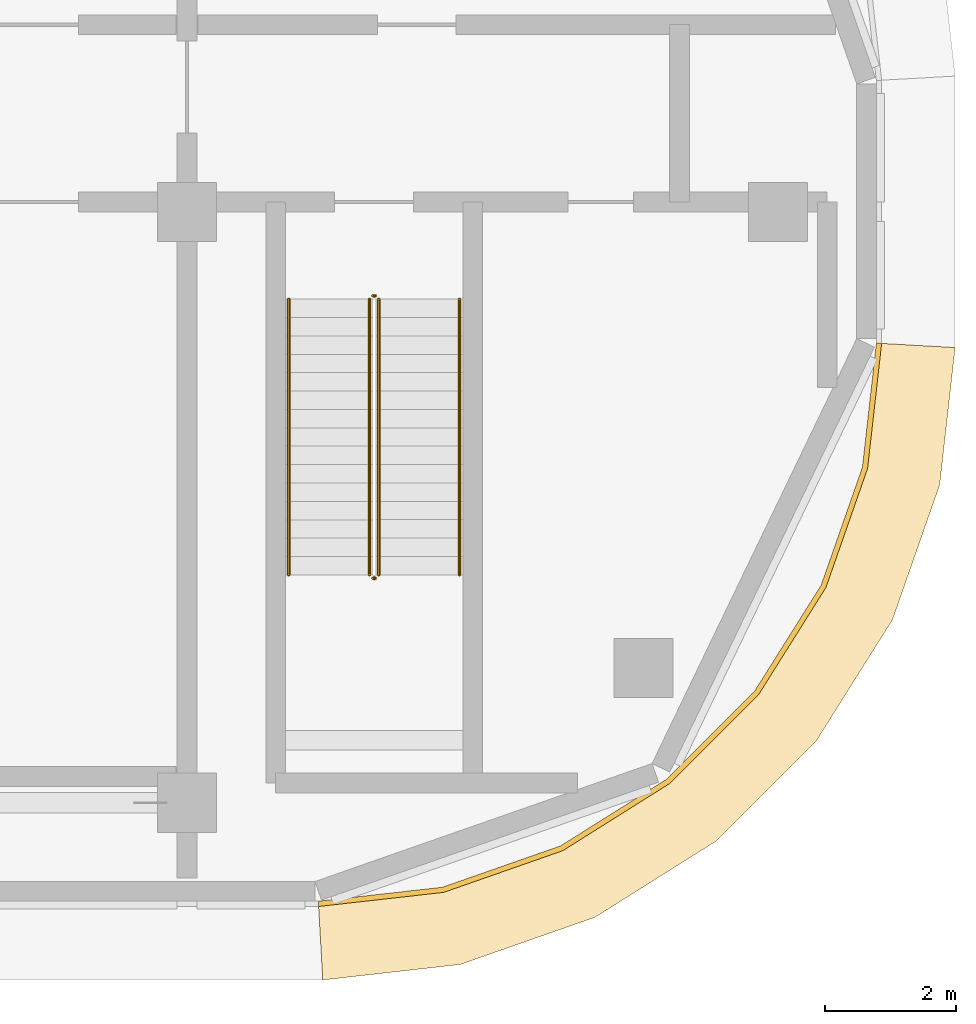
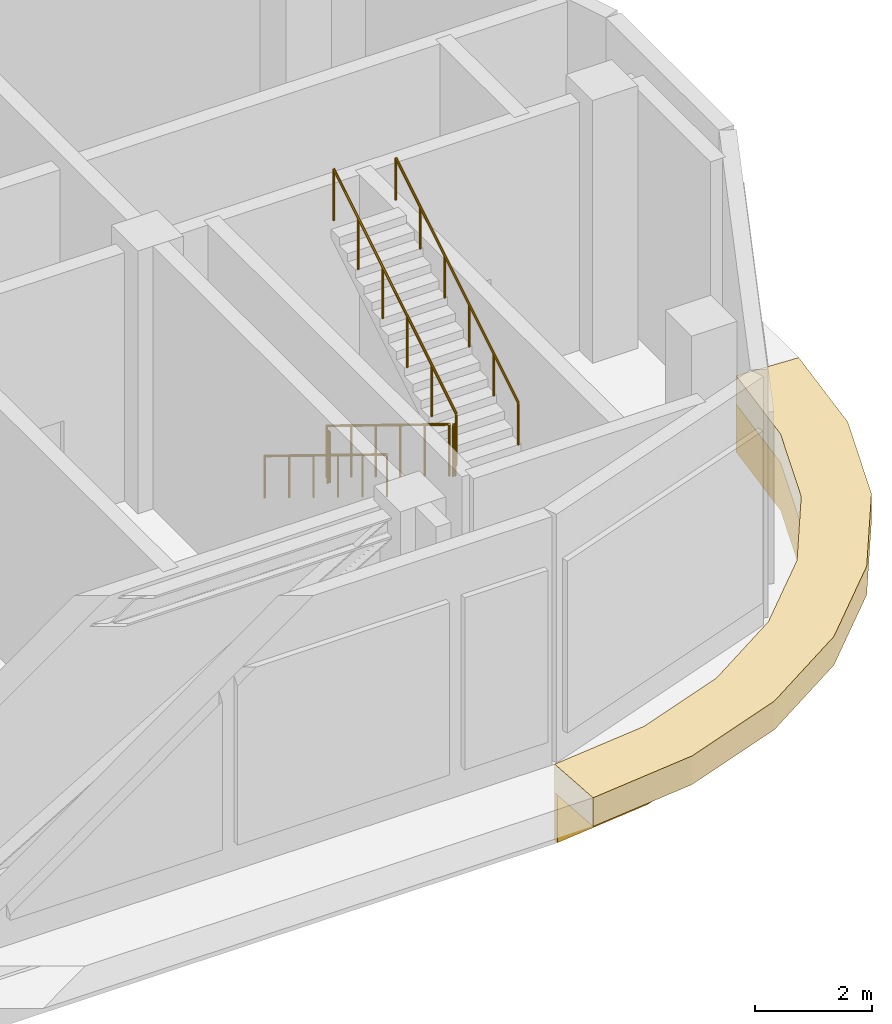
# One storey, part 13 of 14: 6 railings, 2 coverings.
"""IFC4 building model written with IfcOpenShell, lengths in metres."""

from ifc_helpers import new_model, si_unit, direction, frame, origin, origin_2d, place, context, subcontext, project, spatial, polyline, circle, outline, extrude, material, layer, layer_set, type_object, element, save


model = new_model("IFC4")

# Units and contexts
model_context = context("Model", 3, precision=1e-05, world=origin(), true_north=direction((0.0, 1.0)))
body_context = subcontext(model_context, "Body", "Model", "MODEL_VIEW")
ifc_project = project(units=[si_unit("LENGTHUNIT", "METRE"), si_unit("AREAUNIT", "SQUARE_METRE"), si_unit("VOLUMEUNIT", "CUBIC_METRE"), si_unit("PLANEANGLEUNIT", "RADIAN"), si_unit("MASSUNIT", "GRAM", prefix="KILO")], contexts=[model_context])

# Site, building, storey
site_placement = place(None, origin())
site = spatial("IfcSite", under=ifc_project, at=site_placement, CompositionType="ELEMENT")
building_placement = place(site_placement, origin())
building = spatial("IfcBuilding", under=site, at=building_placement, Name="Ogive Portal Towers", CompositionType="ELEMENT")
storey_placement = place(building_placement, frame((0.0, 0.0, 243.89990234375)))
storey = spatial("IfcBuildingStorey", under=building, at=storey_placement, Name="L61", CompositionType="ELEMENT", Elevation=243.89990234375)

# Railings
ifc_material_1 = material(Name="Stainless steel balustrade", Category="steel")
railing_type_1 = type_object("IfcRailingType", Name="INT-GUARD", PredefinedType="GUARDRAIL", material=ifc_material_1)
railing_1_placement = place(storey_placement, frame((88.280029296875, 29.169921875, 0.171875)))
element("IfcRailing", 1, at=railing_1_placement, inside=storey, type_object=railing_type_1, Name="L61 ST-A4 stair guard 1", PredefinedType="GUARDRAIL", context=body_context, shape_type="SweptSolid", body=[
    extrude(circle(Radius=0.02392578125, at=origin_2d()), frame((0.0, 0.0, 1.076171875), z_axis=(0.0, -0.852242915053, 0.523146264196), x_axis=(1.0, 0.0, 0.0)), (0.0, 0.0, 1.0), 4.92822265625),
    extrude(circle(Radius=0.02099609375, at=origin_2d()), origin(), (0.0, 0.0, 1.0), 1.052001953125),
    extrude(circle(Radius=0.02099609375, at=origin_2d()), frame((0.0, -0.840087890625, 0.515625)), (0.0, 0.0, 1.0), 1.052001953125),
    extrude(circle(Radius=0.02099609375, at=origin_2d()), frame((0.0, -1.679931640625, 1.03125)), (0.0, 0.0, 1.0), 1.052001953125),
    extrude(circle(Radius=0.02099609375, at=origin_2d()), frame((0.0, -2.52001953125, 1.546875)), (0.0, 0.0, 1.0), 1.052001953125),
    extrude(circle(Radius=0.02099609375, at=origin_2d()), frame((0.0, -3.35986328125, 2.0625)), (0.0, 0.0, 1.0), 1.052001953125),
    extrude(circle(Radius=0.02099609375, at=origin_2d()), frame((0.0, -4.199951171875, 2.578125)), (0.0, 0.0, 1.0), 1.052001953125),
])
railing_2_placement = place(storey_placement, frame((88.330078125, 24.919921875, 2.75)))
element("IfcRailing", 2, at=railing_2_placement, inside=storey, type_object=railing_type_1, Name="L61 ST-A4 stair guard 2", PredefinedType="GUARDRAIL", context=body_context, shape_type="SweptSolid", body=[
    extrude(circle(Radius=0.02392578125, at=origin_2d()), frame((0.0, 0.0, 1.076171875), z_axis=(1.0, 0.0, 0.0), x_axis=(0.0, 1.0, 0.0)), (0.0, 0.0, 1.0), 0.0400390625),
    extrude(circle(Radius=0.02099609375, at=origin_2d()), origin(), (0.0, 0.0, 1.0), 1.052001953125),
    extrude(circle(Radius=0.02099609375, at=origin_2d()), frame((0.0400390625, 0.0, 0.0)), (0.0, 0.0, 1.0), 1.052001953125),
])
railing_3_placement = place(storey_placement, frame((88.419921875, 24.969970703125, 2.921875)))
element("IfcRailing", 3, at=railing_3_placement, inside=storey, type_object=railing_type_1, Name="L61 ST-A4 stair guard 3", PredefinedType="GUARDRAIL", context=body_context, shape_type="SweptSolid", body=[
    extrude(circle(Radius=0.02392578125, at=origin_2d()), frame((0.0, 0.0, 1.076171875), z_axis=(0.0, 0.852242915053, 0.523146264196), x_axis=(-1.0, 0.0, 0.0)), (0.0, 0.0, 1.0), 4.92822265625),
    extrude(circle(Radius=0.02099609375, at=origin_2d()), origin(), (0.0, 0.0, 1.0), 1.052001953125),
    extrude(circle(Radius=0.02099609375, at=origin_2d()), frame((0.0, 0.840087890625, 0.515625)), (0.0, 0.0, 1.0), 1.052001953125),
    extrude(circle(Radius=0.02099609375, at=origin_2d()), frame((0.0, 1.679931640625, 1.03125)), (0.0, 0.0, 1.0), 1.052001953125),
    extrude(circle(Radius=0.02099609375, at=origin_2d()), frame((0.0, 2.52001953125, 1.546875)), (0.0, 0.0, 1.0), 1.052001953125),
    extrude(circle(Radius=0.02099609375, at=origin_2d()), frame((0.0, 3.35986328125, 2.0625)), (0.0, 0.0, 1.0), 1.052001953125),
    extrude(circle(Radius=0.02099609375, at=origin_2d()), frame((0.0, 4.199951171875, 2.578125)), (0.0, 0.0, 1.0), 1.052001953125),
])
railing_4_placement = place(storey_placement, frame((88.330078125, 29.219970703125, 0.0)))
element("IfcRailing", 4, at=railing_4_placement, inside=storey, type_object=railing_type_1, Name="L61 ST-A4 stair guard 4", PredefinedType="GUARDRAIL", context=body_context, shape_type="SweptSolid", body=[
    extrude(circle(Radius=0.02392578125, at=origin_2d()), frame((0.0, 0.0, 1.076171875), z_axis=(1.0, 0.0, 0.0), x_axis=(0.0, 1.0, 0.0)), (0.0, 0.0, 1.0), 0.0400390625),
    extrude(circle(Radius=0.02099609375, at=origin_2d()), origin(), (0.0, 0.0, 1.0), 1.052001953125),
    extrude(circle(Radius=0.02099609375, at=origin_2d()), frame((0.0400390625, 0.0, 0.0)), (0.0, 0.0, 1.0), 1.052001953125),
])
ifc_material_2 = material(Name="Stainless steel handrail", Category="steel")
railing_type_2 = type_object("IfcRailingType", Name="INT-HANDRAIL", PredefinedType="HANDRAIL", material=ifc_material_2)
railing_5_placement = place(storey_placement, frame((87.050048828125, 29.169921875, 0.171875)))
element("IfcRailing", 5, at=railing_5_placement, inside=storey, type_object=railing_type_2, Name="L61 ST-A4 stair handrail 1", PredefinedType="HANDRAIL", context=body_context, shape_type="SweptSolid", body=[
    extrude(circle(Radius=0.02392578125, at=origin_2d()), frame((0.0, 0.0, 0.8759765625), z_axis=(0.0, -0.852242915053, 0.523146264196), x_axis=(1.0, 0.0, 0.0)), (0.0, 0.0, 1.0), 4.92822265625),
    extrude(circle(Radius=0.02099609375, at=origin_2d()), origin(), (0.0, 0.0, 1.0), 0.851806640625),
    extrude(circle(Radius=0.02099609375, at=origin_2d()), frame((0.0, -0.840087890625, 0.515625)), (0.0, 0.0, 1.0), 0.851806640625),
    extrude(circle(Radius=0.02099609375, at=origin_2d()), frame((0.0, -1.679931640625, 1.03125)), (0.0, 0.0, 1.0), 0.851806640625),
    extrude(circle(Radius=0.02099609375, at=origin_2d()), frame((0.0, -2.52001953125, 1.546875)), (0.0, 0.0, 1.0), 0.851806640625),
    extrude(circle(Radius=0.02099609375, at=origin_2d()), frame((0.0, -3.35986328125, 2.0625)), (0.0, 0.0, 1.0), 0.851806640625),
    extrude(circle(Radius=0.02099609375, at=origin_2d()), frame((0.0, -4.199951171875, 2.578125)), (0.0, 0.0, 1.0), 0.851806640625),
])
railing_6_placement = place(storey_placement, frame((89.64990234375, 24.969970703125, 2.921875)))
element("IfcRailing", 6, at=railing_6_placement, inside=storey, type_object=railing_type_2, Name="L61 ST-A4 stair handrail 2", PredefinedType="HANDRAIL", context=body_context, shape_type="SweptSolid", body=[
    extrude(circle(Radius=0.02392578125, at=origin_2d()), frame((0.0, 0.0, 0.8759765625), z_axis=(0.0, 0.852242915053, 0.523146264196), x_axis=(-1.0, 0.0, 0.0)), (0.0, 0.0, 1.0), 4.92822265625),
    extrude(circle(Radius=0.02099609375, at=origin_2d()), origin(), (0.0, 0.0, 1.0), 0.851806640625),
    extrude(circle(Radius=0.02099609375, at=origin_2d()), frame((0.0, 0.840087890625, 0.515625)), (0.0, 0.0, 1.0), 0.851806640625),
    extrude(circle(Radius=0.02099609375, at=origin_2d()), frame((0.0, 1.679931640625, 1.03125)), (0.0, 0.0, 1.0), 0.851806640625),
    extrude(circle(Radius=0.02099609375, at=origin_2d()), frame((0.0, 2.52001953125, 1.546875)), (0.0, 0.0, 1.0), 0.851806640625),
    extrude(circle(Radius=0.02099609375, at=origin_2d()), frame((0.0, 3.35986328125, 2.0625)), (0.0, 0.0, 1.0), 0.851806640625),
    extrude(circle(Radius=0.02099609375, at=origin_2d()), frame((0.0, 4.199951171875, 2.578125)), (0.0, 0.0, 1.0), 0.851806640625),
])

# Coverings
ifc_material_3 = material(Name="Limestone cladding on lightweight block wall", Category="masonry")
ifc_layer_1 = layer(ifc_material_3, 0.080078125)
ifc_layer_set_1 = layer_set([ifc_layer_1], Name="STONE SPANDREL 80")
covering_type_1 = type_object("IfcCoveringType", Name="STONE SPANDREL 80", PredefinedType="CLADDING", material=ifc_layer_set_1)
covering_1_placement = place(storey_placement, frame((0.0, 0.0, -1.599853515625)))
element("IfcCovering", 7, at=covering_1_placement, inside=storey, type_object=covering_type_1, Name="Stone spandrel A1-F06", PredefinedType="CLADDING", context=body_context, shape_type="SweptSolid", body=[
    extrude(outline(polyline([(87.5, 20.0), (89.391357421875, 20.213134765625), (91.18798828125, 20.841796875), (92.799560546875, 21.8544921875), (94.1455078125, 23.200439453125), (95.158203125, 24.81201171875), (95.786865234375, 26.608642578125), (96.0, 28.5), (96.080078125, 28.49560546875), (95.865478515625, 26.590576171875), (95.230712890625, 24.777099609375), (94.20849609375, 23.150146484375), (92.849853515625, 21.79150390625), (91.222900390625, 20.769287109375), (89.409423828125, 20.134521484375), (87.50439453125, 19.919921875), (87.5, 20.0)])), origin(), (0.0, 0.0, 1.0), 1.0),
])
ifc_layer_2 = layer(ifc_material_3, 0.60009765625)
ifc_layer_set_2 = layer_set([ifc_layer_2], Name="SUNSHADE LIP 600")
covering_type_2 = type_object("IfcCoveringType", Name="SUNSHADE LIP 600", PredefinedType="CLADDING", material=ifc_layer_set_2)
covering_2_placement = place(storey_placement, frame((0.0, 0.0, -0.599853515625)))
element("IfcCovering", 8, at=covering_2_placement, inside=storey, type_object=covering_type_2, Name="Sunshade lip A1-F06", PredefinedType="CLADDING", context=body_context, shape_type="SweptSolid", body=[
    extrude(outline(polyline([(87.5, 20.0), (89.391357421875, 20.213134765625), (91.18798828125, 20.841796875), (92.799560546875, 21.8544921875), (94.1455078125, 23.200439453125), (95.158203125, 24.81201171875), (95.786865234375, 26.608642578125), (96.0, 28.5), (97.199951171875, 28.4326171875), (96.964111328125, 26.33984375), (96.246337890625, 24.2880859375), (95.089599609375, 22.447509765625), (93.552490234375, 20.910400390625), (91.7119140625, 19.753662109375), (89.66015625, 19.035888671875), (87.5673828125, 18.800048828125), (87.5, 20.0)])), origin(), (0.0, 0.0, 1.0), 0.599853515625),
])

save(model, "model.ifc")
